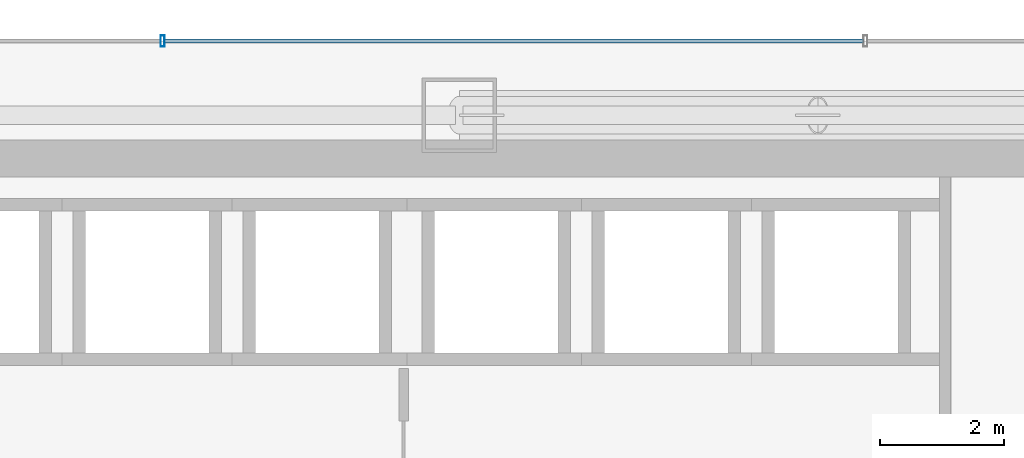
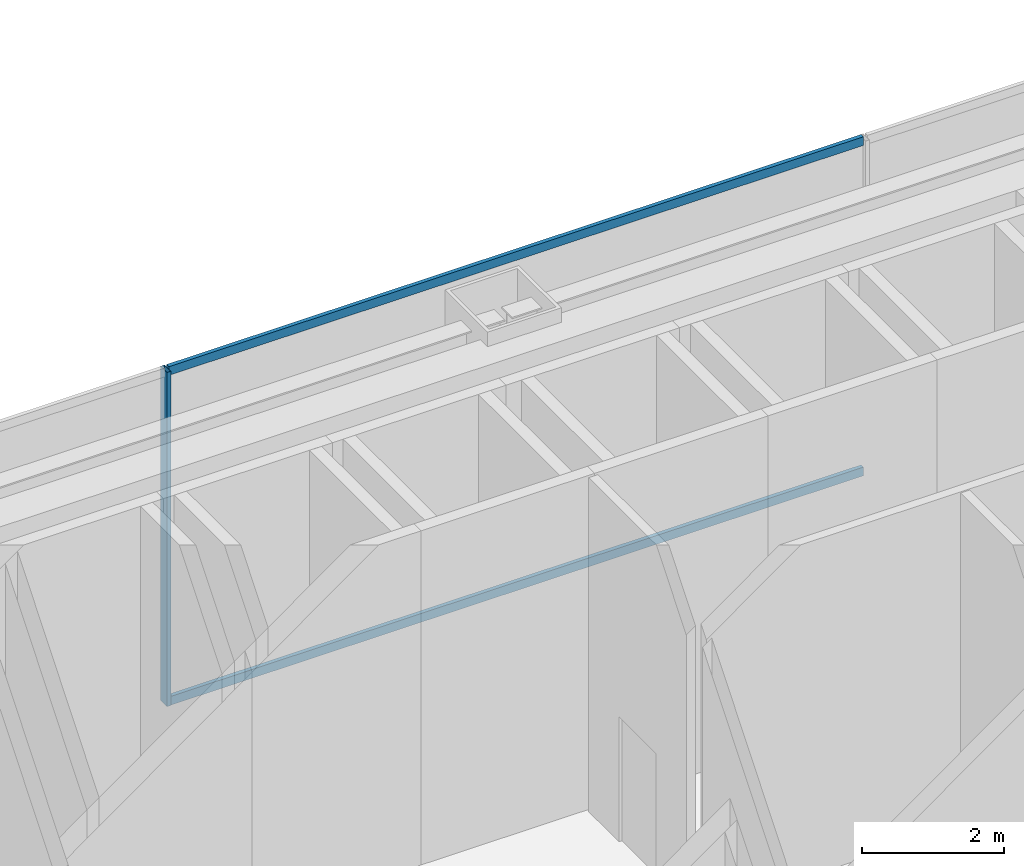
# One storey, part 23 of 35: 3 members, 1 element without a shape of its own.
"""IFC4 building model written with IfcOpenShell, lengths in metres."""

from ifc_helpers import new_model, si_unit, direction, frame, origin, origin_2d, place, context, subcontext, project, spatial, hollow_rectangle, extrude, material, material_profile, profile_set, type_object, element, aggregate, save


model = new_model("IFC4")

# Units and contexts
model_context = context("Model", 3, precision=1e-05, world=origin(), true_north=direction((0.0, 1.0)))
body_context = subcontext(model_context, "Body", "Model", "MODEL_VIEW")
ifc_project = project(units=[si_unit("LENGTHUNIT", "METRE"), si_unit("AREAUNIT", "SQUARE_METRE"), si_unit("VOLUMEUNIT", "CUBIC_METRE"), si_unit("PLANEANGLEUNIT", "RADIAN"), si_unit("MASSUNIT", "GRAM", prefix="KILO")], contexts=[model_context])

# Site, building, storey
site_placement = place(None, origin())
site = spatial("IfcSite", under=ifc_project, at=site_placement, CompositionType="ELEMENT")
building_placement = place(site_placement, origin())
building = spatial("IfcBuilding", under=site, at=building_placement, Name="Saevonmaru Cultural Tower", CompositionType="ELEMENT")
storey_placement = place(building_placement, frame((0.0, 0.0, 86.800048828125)))
storey = spatial("IfcBuildingStorey", under=building, at=storey_placement, Name="L18", CompositionType="ELEMENT", Elevation=86.800048828125)

# Curtain wall, members
ifc_material = material(Name="Satin Bronze Anodised Aluminium", Category="aluminium")
curtain_wall_type = type_object("IfcCurtainWallType", Name="CW-TYP-A", PredefinedType="NOTDEFINED", material=ifc_material)
curtain_wall_placement = place(storey_placement, origin())
curtain_wall = element("IfcCurtainWall", 1, at=curtain_wall_placement, inside=storey, type_object=curtain_wall_type, Name="L18 Wind-Floor Acoustic Louvre Screen E10", PredefinedType="NOTDEFINED")
ifc_material_profile_1 = material_profile(ifc_material, hollow_rectangle(XDim=0.06494140625, YDim=0.179931640625, WallThickness=0.00390625, at=origin_2d()), Name="ALU-MULL-180x65x4")
ifc_profile_set_1 = profile_set([ifc_material_profile_1], Name="Satin Bronze Anodised Aluminium")
member_type_1 = type_object("IfcMemberType", Name="ML-CW-180x65", PredefinedType="MULLION", material=ifc_profile_set_1)
member_1_placement = place(storey_placement, frame((30.0, 56.0, 0.0), z_axis=(0.0, 0.0, 1.0), x_axis=(-1.0, 0.0, 0.0)))
member_1 = element("IfcMember", 2, at=member_1_placement, type_object=member_type_1, Name="CW-TW-L18-E10 mullion 3", PredefinedType="MULLION", context=body_context, shape_type="SweptSolid", body=[
    extrude(hollow_rectangle(XDim=0.06494140625, YDim=0.179931640625, WallThickness=0.00390625, at=origin_2d()), origin(), (0.0, 0.0, 1.0), 5.75),
])
ifc_material_profile_2 = material_profile(ifc_material, hollow_rectangle(XDim=0.06494140625, YDim=0.14990234375, WallThickness=0.00390625, at=origin_2d()), Name="ALU-TRAN-150x65x4")
ifc_profile_set_2 = profile_set([ifc_material_profile_2], Name="Satin Bronze Anodised Aluminium")
member_type_2 = type_object("IfcMemberType", Name="TR-CW-150x65", PredefinedType="USERDEFINED", material=ifc_profile_set_2)
member_2_placement = place(storey_placement, frame((41.33740234375, 56.0, 0.032470703125), z_axis=(-1.0, 0.0, 0.0), x_axis=(0.0, -1.0, 0.0)))
member_2 = element("IfcMember", 3, at=member_2_placement, type_object=member_type_2, Name="CW-TW-L18-E10 transom 2.1", ObjectType="TRANSOM", PredefinedType="USERDEFINED", context=body_context, shape_type="SweptSolid", body=[
    extrude(hollow_rectangle(XDim=0.06494140625, YDim=0.14990234375, WallThickness=0.00390625, at=origin_2d()), origin(), (0.0, 0.0, 1.0), 11.304931640625),
])
member_3_placement = place(storey_placement, frame((41.33740234375, 56.0, 5.717529296875), z_axis=(-1.0, 0.0, 0.0), x_axis=(0.0, -1.0, 0.0)))
member_3 = element("IfcMember", 4, at=member_3_placement, type_object=member_type_2, Name="CW-TW-L18-E10 transom 2.2", ObjectType="TRANSOM", PredefinedType="USERDEFINED", context=body_context, shape_type="SweptSolid", body=[
    extrude(hollow_rectangle(XDim=0.06494140625, YDim=0.14990234375, WallThickness=0.00390625, at=origin_2d()), origin(), (0.0, 0.0, 1.0), 11.304931640625),
])
aggregate(curtain_wall, [member_1, member_2, member_3])

save(model, "model.ifc")
